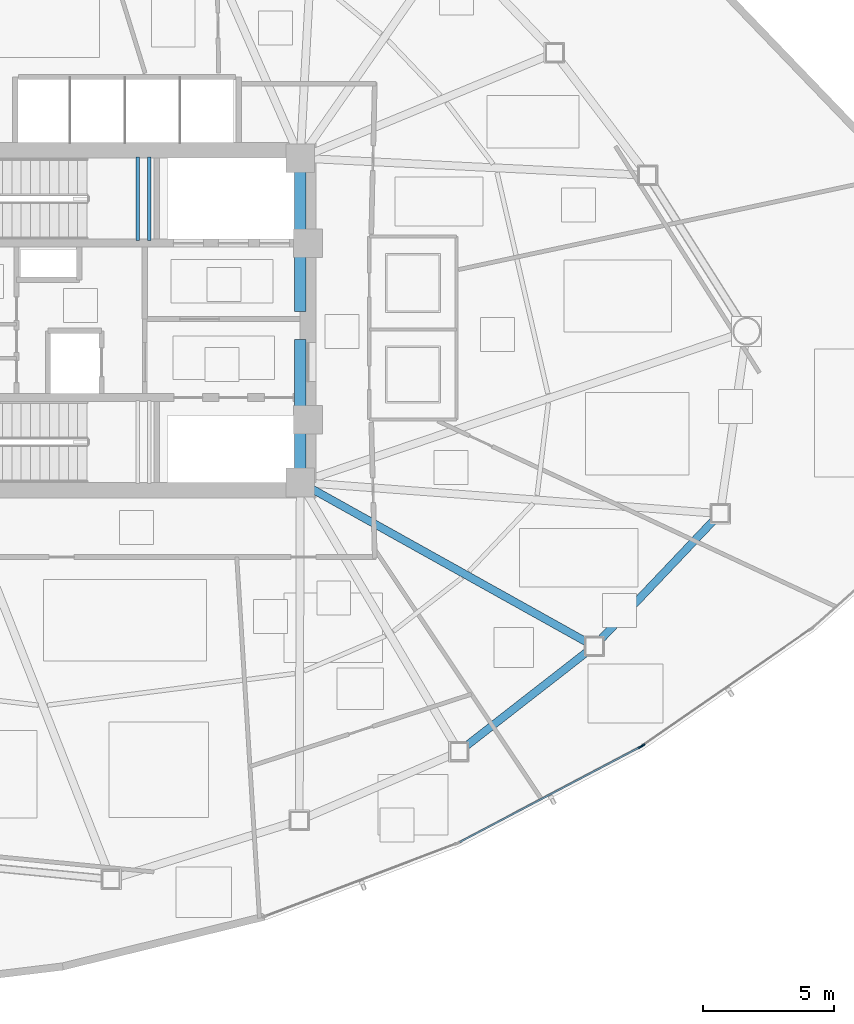
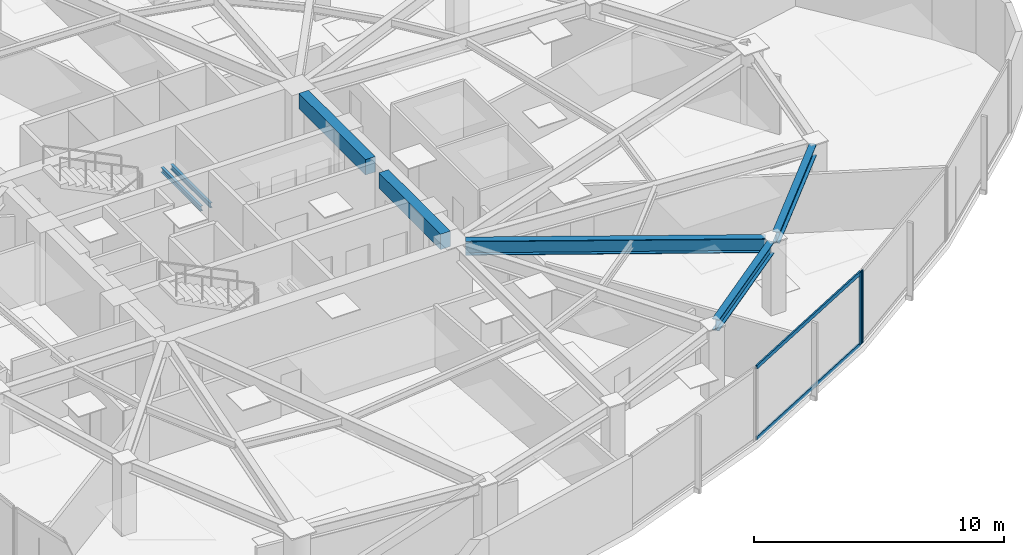
# One storey, part 5 of 17: 7 beams, 4 members, 2 elements without a shape of their own.
"""IFC4 building model written with IfcOpenShell, lengths in metres."""

from ifc_helpers import new_model, si_unit, direction, frame, origin, origin_2d, place, context, subcontext, project, spatial, rectangle, hollow_rectangle, i_section, extrude, source, transform, mapped, material, layer, layer_set, material_profile, profile_set, type_object, type_shapes, element, aggregate, save


model = new_model("IFC4")

# Units and contexts
model_context = context("Model", 3, precision=1e-05, world=origin(), true_north=direction((0.0, 1.0)))
body_context = subcontext(model_context, "Body", "Model", "MODEL_VIEW")
ifc_project = project(units=[si_unit("LENGTHUNIT", "METRE"), si_unit("AREAUNIT", "SQUARE_METRE"), si_unit("VOLUMEUNIT", "CUBIC_METRE"), si_unit("PLANEANGLEUNIT", "RADIAN"), si_unit("MASSUNIT", "GRAM", prefix="KILO")], contexts=[model_context])

# Site, building, storey
site_placement = place(None, origin())
site = spatial("IfcSite", under=ifc_project, at=site_placement, CompositionType="ELEMENT")
building_placement = place(site_placement, origin())
building = spatial("IfcBuilding", under=site, at=building_placement, Name="Tavelor Broadcast Tower", CompositionType="ELEMENT")
storey_placement = place(building_placement, frame((0.0, 0.0, 134.85009765625)))
storey = spatial("IfcBuildingStorey", under=building, at=storey_placement, Name="L31", CompositionType="ELEMENT", Elevation=134.85009765625)

# Beams
ifc_material_1 = material(Name="Concrete C40/50", Category="concrete")
ifc_material_profile_1 = material_profile(ifc_material_1, rectangle(XDim=0.449951171875, YDim=0.75, at=origin_2d()), Name="RC 450x750")
ifc_profile_set_1 = profile_set([ifc_material_profile_1], Name="Concrete C40/50")
beam_type_1 = type_object("IfcBeamType", Name="Basement Core Trim Beam 450x750", PredefinedType="BEAM", material=ifc_profile_set_1)
beam_1_placement = place(storey_placement, frame((56.60009765625, 45.327880859375, 3.1748046875), z_axis=(0.0, 1.0, 0.0), x_axis=(-1.0, 0.0, 0.0)))
element("IfcBeam", 1, at=beam_1_placement, inside=storey, type_object=beam_type_1, Name="L31 Core East-N Tie Girder", PredefinedType="BEAM", context=body_context, shape_type="SweptSolid", body=[
    extrude(rectangle(XDim=0.449951171875, YDim=0.75, at=origin_2d()), origin(), (0.0, 0.0, 1.0), 5.34423828125),
])
beam_2_placement = place(storey_placement, frame((56.60009765625, 39.327880859375, 3.1748046875), z_axis=(0.0, 1.0, 0.0), x_axis=(-1.0, 0.0, 0.0)))
element("IfcBeam", 2, at=beam_2_placement, inside=storey, type_object=beam_type_1, Name="L31 Core East-S Tie Girder", PredefinedType="BEAM", context=body_context, shape_type="SweptSolid", body=[
    extrude(rectangle(XDim=0.449951171875, YDim=0.75, at=origin_2d()), origin(), (0.0, 0.0, 1.0), 4.944091796875),
])
ifc_material_2 = material(Name="Steel S355", Category="steel")
ifc_material_profile_2 = material_profile(ifc_material_2, i_section(OverallWidth=0.300048828125, OverallDepth=0.550048828125, WebThickness=0.014892578125, FlangeThickness=0.029052734375, at=origin_2d()), Name="HEB 550")
ifc_profile_set_2 = profile_set([ifc_material_profile_2], Name="Steel S355")
beam_type_2 = type_object("IfcBeamType", Name="Perimeter Spandrel Beam T3 HEB 550", PredefinedType="SPANDREL", material=ifc_profile_set_2)
beam_3_placement = place(storey_placement, frame((62.934326171875, 28.709716796875, 3.27490234375), z_axis=(0.788970059341, 0.614431644257, 0.0), x_axis=(-0.614431644257, 0.788970059341, 0.0)))
element("IfcBeam", 3, at=beam_3_placement, inside=storey, type_object=beam_type_2, Name="L31 Framed-Tube Ring Spandrel 10", PredefinedType="SPANDREL", context=body_context, shape_type="SweptSolid", body=[
    extrude(i_section(OverallWidth=0.300048828125, OverallDepth=0.550048828125, WebThickness=0.014892578125, FlangeThickness=0.029052734375, at=origin_2d()), origin(), (0.0, 0.0, 1.0), 5.884765625),
])
beam_4_placement = place(storey_placement, frame((68.073486328125, 32.775390625, 3.27490234375), z_axis=(0.688378130541, 0.72535201757, 0.0), x_axis=(-0.72535201757, 0.688378130541, 0.0)))
element("IfcBeam", 4, at=beam_4_placement, inside=storey, type_object=beam_type_2, Name="L31 Framed-Tube Ring Spandrel 11", PredefinedType="SPANDREL", context=body_context, shape_type="SweptSolid", body=[
    extrude(i_section(OverallWidth=0.300048828125, OverallDepth=0.550048828125, WebThickness=0.014892578125, FlangeThickness=0.029052734375, at=origin_2d()), origin(), (0.0, 0.0, 1.0), 6.32568359375),
])
ifc_material_profile_3 = material_profile(ifc_material_2, i_section(OverallWidth=0.300048828125, OverallDepth=0.68994140625, WebThickness=0.014404296875, FlangeThickness=0.027099609375, at=origin_2d()), Name="HEA 700")
ifc_profile_set_3 = profile_set([ifc_material_profile_3], Name="Steel S355")
beam_type_3 = type_object("IfcBeamType", Name="Radial Floor Girder T3 HEA 700", PredefinedType="BEAM", material=ifc_profile_set_3)
beam_5_placement = place(storey_placement, frame((57.061279296875, 38.54296875, 3.204833984375), z_axis=(0.873405286678, -0.486994050481, 0.0), x_axis=(0.486994050481, 0.873405286678, 0.0)))
element("IfcBeam", 5, at=beam_5_placement, inside=storey, type_object=beam_type_3, Name="L31 Radial Primary Floor Girder 11", PredefinedType="BEAM", context=body_context, shape_type="SweptSolid", body=[
    extrude(i_section(OverallWidth=0.300048828125, OverallDepth=0.68994140625, WebThickness=0.014404296875, FlangeThickness=0.027099609375, at=origin_2d()), origin(), (0.0, 0.0, 1.0), 12.007568359375),
])
ifc_material_profile_4 = material_profile(ifc_material_2, i_section(OverallWidth=0.1201171875, OverallDepth=0.239990234375, WebThickness=0.006103515625, FlangeThickness=0.009765625, at=origin_2d()), Name="IPE 240")
ifc_profile_set_4 = profile_set([ifc_material_profile_4], Name="Steel S355")
beam_type_4 = type_object("IfcBeamType", Name="Stairwell Landing Support Trimmer Beam IPE240", PredefinedType="BEAM", material=ifc_profile_set_4)
for number, where, z_axis, x_axis, name in (
    (6, (50.385009765625, 48.06005859375, 1.60986328125), (0.0, 1.0, 0.0), (-1.0, 0.0, 0.0), "L31 Stair Landing Support Beam 95"),
    (7, (50.824951171875, 48.06005859375, 1.60986328125), (0.0, 1.0, 0.0), (-1.0, 0.0, 0.0), "L31 Stair Landing Support Beam 96"),
):
    element("IfcBeam", number, at=place(storey_placement, frame(where, z_axis=z_axis, x_axis=x_axis)), inside=storey, type_object=beam_type_4, Name=name, PredefinedType="BEAM", context=body_context, shape_type="SweptSolid", body=[
        extrude(i_section(OverallWidth=0.1201171875, OverallDepth=0.239990234375, WebThickness=0.006103515625, FlangeThickness=0.009765625, at=origin_2d()), origin(), (0.0, 0.0, 1.0), 3.179931640625),
    ])

# Curtain wall, member
ifc_material_3 = material(Name="Architectural Anodized Aluminium", Category="aluminium")
ifc_layer = layer(ifc_material_3, 0.18994140625)
ifc_layer_set = layer_set([ifc_layer], Name="Architectural Anodized Aluminium")
curtain_wall_type = type_object("IfcCurtainWallType", Name="Tower Mid-Zone Acoustic Curtain Wall CW03", PredefinedType="NOTDEFINED", material=ifc_layer_set)
curtain_wall_1_placement = place(storey_placement, origin())
curtain_wall_1 = element("IfcCurtainWall", 8, at=curtain_wall_1_placement, inside=storey, type_object=curtain_wall_type, Name="L31 Curtain Wall CW03 Run 318", PredefinedType="NOTDEFINED")
ifc_material_profile_5 = material_profile(ifc_material_3, hollow_rectangle(XDim=0.068115234375, YDim=0.18994140625, WallThickness=0.02197265625, at=origin_2d()), Name="RHS 68x190x22")
ifc_profile_set_5 = profile_set([ifc_material_profile_5], Name="Architectural Anodized Aluminium")
member_type_1 = type_object("IfcMemberType", Name="CW03 Extruded Aluminium Mullion 68x190", PredefinedType="MULLION", material=ifc_profile_set_5)
shared_shape_1 = source(origin(), body_context, "Body", "SweptSolid", [
    extrude(hollow_rectangle(XDim=0.068115234375, YDim=0.18994140625, WallThickness=0.02197265625, at=origin_2d()), origin(), (0.0, 0.0, 1.0), 3.5498046875),
])
type_shapes(member_type_1, [shared_shape_1])
member_1_placement = place(storey_placement, frame((69.60595703125, 28.681884765625, 0.0), z_axis=(0.0, 0.0, 1.0), x_axis=(-0.466015401152, 0.884776607901, 0.0)))
member_1 = element("IfcMember", 9, at=member_1_placement, type_object=member_type_1, Name="CW03 mullion 2", PredefinedType="MULLION", context=body_context, shape_type="MappedRepresentation", body=[
    mapped(shared_shape_1, transform((0.0, 0.0, 0.0), scale=1.0)),
])

curtain_wall_2_placement = place(storey_placement, origin())
curtain_wall_2 = element("IfcCurtainWall", 10, at=curtain_wall_2_placement, inside=storey, type_object=curtain_wall_type, Name="L31 Curtain Wall CW03 Run 319", PredefinedType="NOTDEFINED")
member_2_placement = place(storey_placement, frame((69.689453125, 28.732666015625, 0.0), z_axis=(0.0, 0.0, 1.0), x_axis=(-0.56965057087, 0.821886991689, 0.0)))
member_2 = element("IfcMember", 11, at=member_2_placement, type_object=member_type_1, Name="CW03 mullion 1", PredefinedType="MULLION", context=body_context, shape_type="MappedRepresentation", body=[
    mapped(shared_shape_1, transform((0.0, 0.0, 0.0), scale=1.0)),
])
aggregate(curtain_wall_2, [member_2])

# Member
ifc_material_profile_6 = material_profile(ifc_material_3, hollow_rectangle(XDim=0.068115234375, YDim=0.18994140625, WallThickness=0.02197265625, at=origin_2d()), Name="RHS 68x190x22")
ifc_profile_set_6 = profile_set([ifc_material_profile_6], Name="Architectural Anodized Aluminium")
member_type_2 = type_object("IfcMemberType", Name="CW03 Extruded Aluminium Transom 68x190", PredefinedType="USERDEFINED", material=ifc_profile_set_6)
shared_shape_2 = source(origin(), body_context, "Body", "SweptSolid", [
    extrude(hollow_rectangle(XDim=0.068115234375, YDim=0.18994140625, WallThickness=0.02197265625, at=origin_2d()), origin(), (0.0, 0.0, 1.0), 7.770263671875),
])
type_shapes(member_type_2, [shared_shape_2])
member_3_placement = place(storey_placement, frame((62.700927734375, 25.044921875, 0.033935546875), z_axis=(0.884776418258, 0.466015761208, 0.0), x_axis=(-0.466015761208, 0.884776418258, 0.0)))
member_3 = element("IfcMember", 12, at=member_3_placement, type_object=member_type_2, Name="CW03 transom 1.1", ObjectType="TRANSOM", PredefinedType="USERDEFINED", context=body_context, shape_type="MappedRepresentation", body=[
    mapped(shared_shape_2, transform((0.0, 0.0, 0.0), scale=1.0)),
])

member_4_placement = place(storey_placement, frame((62.700927734375, 25.044921875, 3.515869140625), z_axis=(0.884776418258, 0.466015761208, 0.0), x_axis=(-0.466015761208, 0.884776418258, 0.0)))
member_4 = element("IfcMember", 13, at=member_4_placement, type_object=member_type_2, Name="CW03 transom 1.2", ObjectType="TRANSOM", PredefinedType="USERDEFINED", context=body_context, shape_type="MappedRepresentation", body=[
    mapped(shared_shape_2, transform((0.0, 0.0, 0.0), scale=1.0)),
])

aggregate(curtain_wall_1, [member_1, member_3, member_4])

save(model, "model.ifc")
